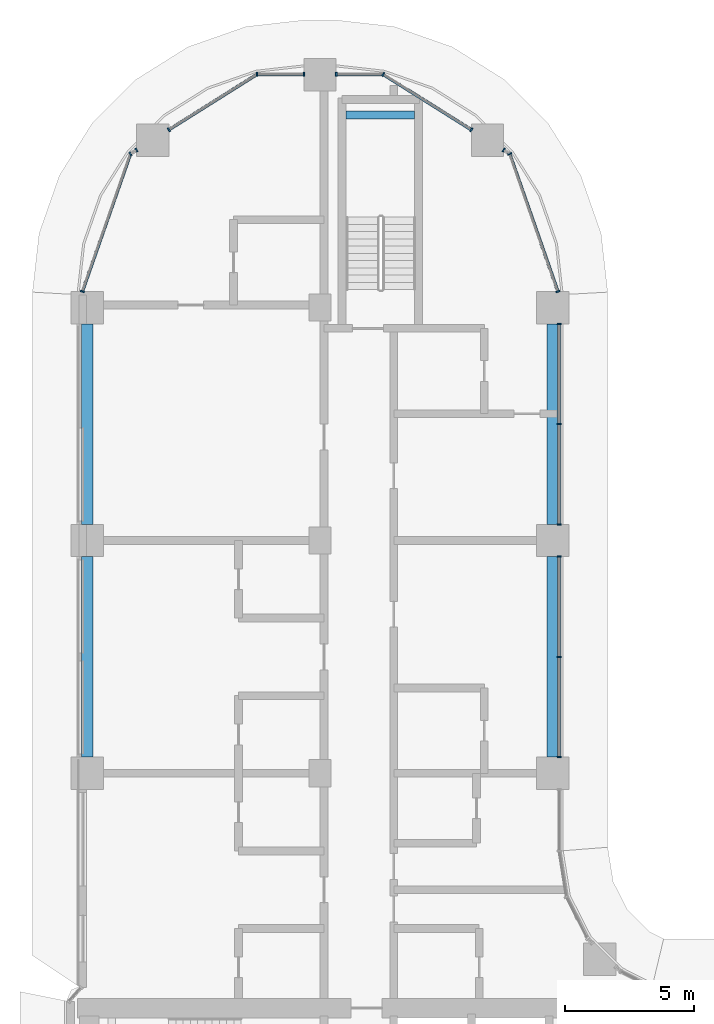
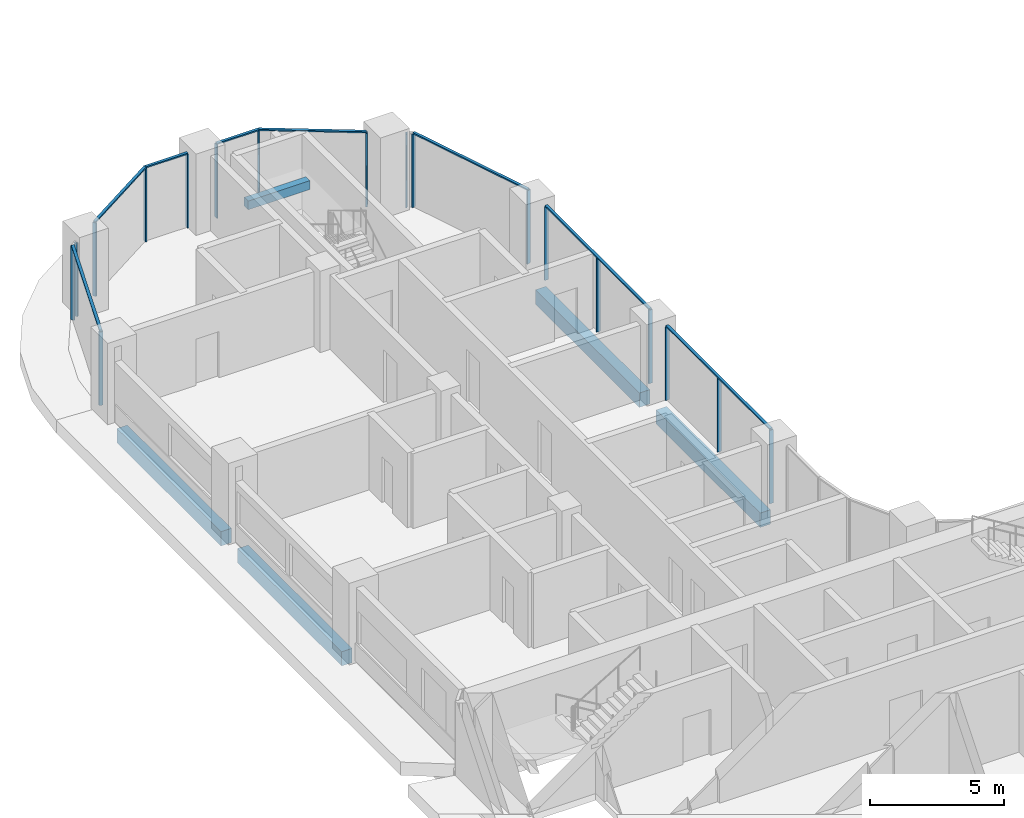
# One storey, part 5 of 33: 26 members, 5 beams, 6 elements without a shape of their own.
"""IFC4 building model written with IfcOpenShell, lengths in metres."""

from ifc_helpers import new_model, si_unit, direction, frame, origin, origin_2d, place, context, subcontext, project, spatial, rectangle, extrude, material, material_profile, profile_set, type_object, element, aggregate, save


model = new_model("IFC4")

# Units and contexts
model_context = context("Model", 3, precision=1e-05, world=origin(), true_north=direction((0.0, 1.0)))
body_context = subcontext(model_context, "Body", "Model", "MODEL_VIEW")
ifc_project = project(units=[si_unit("LENGTHUNIT", "METRE"), si_unit("AREAUNIT", "SQUARE_METRE"), si_unit("VOLUMEUNIT", "CUBIC_METRE"), si_unit("PLANEANGLEUNIT", "RADIAN"), si_unit("MASSUNIT", "GRAM", prefix="KILO")], contexts=[model_context])

# Site, building, storey
site_placement = place(None, origin())
site = spatial("IfcSite", under=ifc_project, at=site_placement, CompositionType="ELEMENT")
building_placement = place(site_placement, origin())
building = spatial("IfcBuilding", under=site, at=building_placement, Name="Ogive Portal Towers", CompositionType="ELEMENT")
storey_placement = place(building_placement, frame((0.0, 0.0, 98.199951171875)))
storey = spatial("IfcBuildingStorey", under=building, at=storey_placement, Name="L23", CompositionType="ELEMENT", Elevation=98.199951171875)

# Beam
ifc_material_1 = material(Name="Concrete C40/50", Category="concrete")
ifc_material_profile_1 = material_profile(ifc_material_1, rectangle(XDim=0.300048828125, YDim=0.39990234375, at=origin_2d()), Name="RC 300x400")
ifc_profile_set_1 = profile_set([ifc_material_profile_1], Name="Concrete C40/50")
beam_type_1 = type_object("IfcBeamType", Name="BEAM RC 300x400", PredefinedType="BEAM", material=ifc_profile_set_1)
beam_placement = place(storey_placement, frame((41.5, 73.949951171875, 1.449951171875), z_axis=(1.0, 0.0, 0.0), x_axis=(0.0, 1.0, 0.0)))
element("IfcBeam", 1, at=beam_placement, inside=storey, type_object=beam_type_1, Name="Landing beam L23", PredefinedType="BEAM", context=body_context, shape_type="SweptSolid", body=[
    extrude(rectangle(XDim=0.300048828125, YDim=0.39990234375, at=origin_2d()), origin(), (0.0, 0.0, 1.0), 2.64990234375),
])

# Curtain wall, members
ifc_material_2 = material(Name="Glass, clear low-iron insulated glazing", Category="glass")
curtain_wall_type = type_object("IfcCurtainWallType", Name="CW FRONT RIBBON 4500", PredefinedType="NOTDEFINED", material=ifc_material_2)
curtain_wall_1_placement = place(storey_placement, origin())
curtain_wall_1 = element("IfcCurtainWall", 2, at=curtain_wall_1_placement, inside=storey, type_object=curtain_wall_type, Name="A:L23:f06:cw0~1", PredefinedType="NOTDEFINED")
ifc_material_3 = material(Name="Aluminium 6063 anodised", Category="aluminium")
ifc_material_profile_2 = material_profile(ifc_material_3, rectangle(XDim=0.159912109375, YDim=0.06005859375, at=origin_2d()), Name="AL 60x160")
ifc_profile_set_2 = profile_set([ifc_material_profile_2], Name="Aluminium 6063 anodised")
member_type_1 = type_object("IfcMemberType", Name="CW MULLION 60x160", PredefinedType="MULLION", material=ifc_profile_set_2)
member_1_placement = place(storey_placement, frame((49.739990234375, 49.125, 0.0), z_axis=(0.0, 0.0, 1.0), x_axis=(-1.0, 0.0, 0.0)))
member_1 = element("IfcMember", 3, at=member_1_placement, type_object=member_type_1, Name="mullion", PredefinedType="MULLION", context=body_context, shape_type="SweptSolid", body=[
    extrude(rectangle(XDim=0.159912109375, YDim=0.06005859375, at=origin_2d()), origin(), (0.0, 0.0, 1.0), 3.340087890625),
])
member_2_placement = place(storey_placement, frame((49.739990234375, 53.0, 0.0), z_axis=(0.0, 0.0, 1.0), x_axis=(-1.0, 0.0, 0.0)))
member_2 = element("IfcMember", 4, at=member_2_placement, type_object=member_type_1, Name="mullion", PredefinedType="MULLION", context=body_context, shape_type="SweptSolid", body=[
    extrude(rectangle(XDim=0.159912109375, YDim=0.06005859375, at=origin_2d()), origin(), (0.0, 0.0, 1.0), 3.340087890625),
])
member_3_placement = place(storey_placement, frame((49.739990234375, 56.875, 0.0), z_axis=(0.0, 0.0, 1.0), x_axis=(-1.0, 0.0, 0.0)))
member_3 = element("IfcMember", 5, at=member_3_placement, type_object=member_type_1, Name="mullion", PredefinedType="MULLION", context=body_context, shape_type="SweptSolid", body=[
    extrude(rectangle(XDim=0.159912109375, YDim=0.06005859375, at=origin_2d()), origin(), (0.0, 0.0, 1.0), 3.340087890625),
])

curtain_wall_2_placement = place(storey_placement, origin())
curtain_wall_2 = element("IfcCurtainWall", 6, at=curtain_wall_2_placement, inside=storey, type_object=curtain_wall_type, Name="A:L23:f06:cw0~2", PredefinedType="NOTDEFINED")
member_4_placement = place(storey_placement, frame((49.739990234375, 58.125, 0.0), z_axis=(0.0, 0.0, 1.0), x_axis=(-1.0, 0.0, 0.0)))
member_4 = element("IfcMember", 7, at=member_4_placement, type_object=member_type_1, Name="mullion", PredefinedType="MULLION", context=body_context, shape_type="SweptSolid", body=[
    extrude(rectangle(XDim=0.159912109375, YDim=0.06005859375, at=origin_2d()), origin(), (0.0, 0.0, 1.0), 3.340087890625),
])
member_5_placement = place(storey_placement, frame((49.739990234375, 62.0, 0.0), z_axis=(0.0, 0.0, 1.0), x_axis=(-1.0, 0.0, 0.0)))
member_5 = element("IfcMember", 8, at=member_5_placement, type_object=member_type_1, Name="mullion", PredefinedType="MULLION", context=body_context, shape_type="SweptSolid", body=[
    extrude(rectangle(XDim=0.159912109375, YDim=0.06005859375, at=origin_2d()), origin(), (0.0, 0.0, 1.0), 3.340087890625),
])
member_6_placement = place(storey_placement, frame((49.739990234375, 65.875, 0.0), z_axis=(0.0, 0.0, 1.0), x_axis=(-1.0, 0.0, 0.0)))
member_6 = element("IfcMember", 9, at=member_6_placement, type_object=member_type_1, Name="mullion", PredefinedType="MULLION", context=body_context, shape_type="SweptSolid", body=[
    extrude(rectangle(XDim=0.159912109375, YDim=0.06005859375, at=origin_2d()), origin(), (0.0, 0.0, 1.0), 3.340087890625),
])

curtain_wall_3_placement = place(storey_placement, origin())
curtain_wall_3 = element("IfcCurtainWall", 10, at=curtain_wall_3_placement, inside=storey, type_object=curtain_wall_type, Name="A:L23:f07:cwa~0", PredefinedType="NOTDEFINED")
member_7_placement = place(storey_placement, frame((49.69140625, 67.125, 0.0), z_axis=(0.0, 0.0, 1.0), x_axis=(-0.943883330307, -0.33027906196, 0.0)))
member_7 = element("IfcMember", 11, at=member_7_placement, type_object=member_type_1, Name="mullion", PredefinedType="MULLION", context=body_context, shape_type="SweptSolid", body=[
    extrude(rectangle(XDim=0.159912109375, YDim=0.06005859375, at=origin_2d()), origin(), (0.0, 0.0, 1.0), 3.340087890625),
])
member_8_placement = place(storey_placement, frame((47.82958984375, 72.4462890625, 0.0), z_axis=(0.0, 0.0, 1.0), x_axis=(-0.943883330307, -0.33027906196, 0.0)))
member_8 = element("IfcMember", 12, at=member_8_placement, type_object=member_type_1, Name="mullion", PredefinedType="MULLION", context=body_context, shape_type="SweptSolid", body=[
    extrude(rectangle(XDim=0.159912109375, YDim=0.06005859375, at=origin_2d()), origin(), (0.0, 0.0, 1.0), 3.340087890625),
])
member_9_placement = place(storey_placement, frame((47.597900390625, 72.591796875, 0.0), z_axis=(0.0, 0.0, 1.0), x_axis=(-0.532032076517, -0.846724199227, 0.0)))
member_9 = element("IfcMember", 13, at=member_9_placement, type_object=member_type_1, Name="mullion", PredefinedType="MULLION", context=body_context, shape_type="SweptSolid", body=[
    extrude(rectangle(XDim=0.159912109375, YDim=0.06005859375, at=origin_2d()), origin(), (0.0, 0.0, 1.0), 3.340087890625),
])

curtain_wall_4_placement = place(storey_placement, origin())
curtain_wall_4 = element("IfcCurtainWall", 14, at=curtain_wall_4_placement, inside=storey, type_object=curtain_wall_type, Name="A:L23:f07:cwa~1", PredefinedType="NOTDEFINED")
member_10_placement = place(storey_placement, frame((46.347900390625, 73.377197265625, 0.0), z_axis=(0.0, 0.0, 1.0), x_axis=(-0.532032076517, -0.846724199227, 0.0)))
member_10 = element("IfcMember", 15, at=member_10_placement, type_object=member_type_1, Name="mullion", PredefinedType="MULLION", context=body_context, shape_type="SweptSolid", body=[
    extrude(rectangle(XDim=0.159912109375, YDim=0.06005859375, at=origin_2d()), origin(), (0.0, 0.0, 1.0), 3.340087890625),
])
member_11_placement = place(storey_placement, frame((42.939697265625, 75.518798828125, 0.0), z_axis=(0.0, 0.0, 1.0), x_axis=(-0.532032076517, -0.846724199227, 0.0)))
member_11 = element("IfcMember", 16, at=member_11_placement, type_object=member_type_1, Name="mullion", PredefinedType="MULLION", context=body_context, shape_type="SweptSolid", body=[
    extrude(rectangle(XDim=0.159912109375, YDim=0.06005859375, at=origin_2d()), origin(), (0.0, 0.0, 1.0), 3.340087890625),
])
member_12_placement = place(storey_placement, frame((41.125, 75.518798828125, 0.0), z_axis=(0.0, 0.0, 1.0), x_axis=(0.0, -1.0, 0.0)))
member_12 = element("IfcMember", 17, at=member_12_placement, type_object=member_type_1, Name="mullion", PredefinedType="MULLION", context=body_context, shape_type="SweptSolid", body=[
    extrude(rectangle(XDim=0.159912109375, YDim=0.06005859375, at=origin_2d()), origin(), (0.0, 0.0, 1.0), 3.340087890625),
])

curtain_wall_5_placement = place(storey_placement, origin())
curtain_wall_5 = element("IfcCurtainWall", 18, at=curtain_wall_5_placement, inside=storey, type_object=curtain_wall_type, Name="A:L23:f07:cwa~2", PredefinedType="NOTDEFINED")
member_13_placement = place(storey_placement, frame((39.875, 75.518798828125, 0.0), z_axis=(0.0, 0.0, 1.0), x_axis=(0.0, -1.0, 0.0)))
member_13 = element("IfcMember", 19, at=member_13_placement, type_object=member_type_1, Name="mullion", PredefinedType="MULLION", context=body_context, shape_type="SweptSolid", body=[
    extrude(rectangle(XDim=0.159912109375, YDim=0.06005859375, at=origin_2d()), origin(), (0.0, 0.0, 1.0), 3.340087890625),
])
member_14_placement = place(storey_placement, frame((38.060302734375, 75.518798828125, 0.0), z_axis=(0.0, 0.0, 1.0), x_axis=(0.0, -1.0, 0.0)))
member_14 = element("IfcMember", 20, at=member_14_placement, type_object=member_type_1, Name="mullion", PredefinedType="MULLION", context=body_context, shape_type="SweptSolid", body=[
    extrude(rectangle(XDim=0.159912109375, YDim=0.06005859375, at=origin_2d()), origin(), (0.0, 0.0, 1.0), 3.340087890625),
])
member_15_placement = place(storey_placement, frame((34.652099609375, 73.377197265625, 0.0), z_axis=(0.0, 0.0, 1.0), x_axis=(0.532032076517, -0.846724199227, 0.0)))
member_15 = element("IfcMember", 21, at=member_15_placement, type_object=member_type_1, Name="mullion", PredefinedType="MULLION", context=body_context, shape_type="SweptSolid", body=[
    extrude(rectangle(XDim=0.159912109375, YDim=0.06005859375, at=origin_2d()), origin(), (0.0, 0.0, 1.0), 3.340087890625),
])

curtain_wall_6_placement = place(storey_placement, origin())
curtain_wall_6 = element("IfcCurtainWall", 22, at=curtain_wall_6_placement, inside=storey, type_object=curtain_wall_type, Name="A:L23:f07:cwa~3", PredefinedType="NOTDEFINED")
member_16_placement = place(storey_placement, frame((33.402099609375, 72.591796875, 0.0), z_axis=(0.0, 0.0, 1.0), x_axis=(0.532032076517, -0.846724199227, 0.0)))
member_16 = element("IfcMember", 23, at=member_16_placement, type_object=member_type_1, Name="mullion", PredefinedType="MULLION", context=body_context, shape_type="SweptSolid", body=[
    extrude(rectangle(XDim=0.159912109375, YDim=0.06005859375, at=origin_2d()), origin(), (0.0, 0.0, 1.0), 3.340087890625),
])
member_17_placement = place(storey_placement, frame((33.17041015625, 72.4462890625, 0.0), z_axis=(0.0, 0.0, 1.0), x_axis=(0.532032076517, -0.846724199227, 0.0)))
member_17 = element("IfcMember", 24, at=member_17_placement, type_object=member_type_1, Name="mullion", PredefinedType="MULLION", context=body_context, shape_type="SweptSolid", body=[
    extrude(rectangle(XDim=0.159912109375, YDim=0.06005859375, at=origin_2d()), origin(), (0.0, 0.0, 1.0), 3.340087890625),
])
member_18_placement = place(storey_placement, frame((31.30859375, 67.125, 0.0), z_axis=(0.0, 0.0, 1.0), x_axis=(0.943883330307, -0.33027906196, 0.0)))
member_18 = element("IfcMember", 25, at=member_18_placement, type_object=member_type_1, Name="mullion", PredefinedType="MULLION", context=body_context, shape_type="SweptSolid", body=[
    extrude(rectangle(XDim=0.159912109375, YDim=0.06005859375, at=origin_2d()), origin(), (0.0, 0.0, 1.0), 3.340087890625),
])

# Member
ifc_material_profile_3 = material_profile(ifc_material_3, rectangle(XDim=0.1201171875, YDim=0.06005859375, at=origin_2d()), Name="AL 120x60")
ifc_profile_set_3 = profile_set([ifc_material_profile_3], Name="Aluminium 6063 anodised")
member_type_2 = type_object("IfcMemberType", Name="CW TRANSOM 60x120", PredefinedType="USERDEFINED", material=ifc_profile_set_3)
member_19_placement = place(storey_placement, frame((49.739990234375, 49.125, 3.3701171875), z_axis=(0.0, 1.0, 0.0), x_axis=(-1.0, 0.0, 0.0)))
member_19 = element("IfcMember", 26, at=member_19_placement, type_object=member_type_2, Name="transom", ObjectType="TRANSOM", PredefinedType="USERDEFINED", context=body_context, shape_type="SweptSolid", body=[
    extrude(rectangle(XDim=0.1201171875, YDim=0.06005859375, at=origin_2d()), origin(), (0.0, 0.0, 1.0), 7.75),
])

aggregate(curtain_wall_1, [member_19, member_1, member_2, member_3])

member_20_placement = place(storey_placement, frame((49.739990234375, 58.125, 3.3701171875), z_axis=(0.0, 1.0, 0.0), x_axis=(-1.0, 0.0, 0.0)))
member_20 = element("IfcMember", 27, at=member_20_placement, type_object=member_type_2, Name="transom", ObjectType="TRANSOM", PredefinedType="USERDEFINED", context=body_context, shape_type="SweptSolid", body=[
    extrude(rectangle(XDim=0.1201171875, YDim=0.06005859375, at=origin_2d()), origin(), (0.0, 0.0, 1.0), 7.75),
])

aggregate(curtain_wall_2, [member_20, member_4, member_5, member_6])

member_21_placement = place(storey_placement, frame((49.69140625, 67.125, 3.3701171875), z_axis=(-0.330250115416, 0.943893458642, 0.0), x_axis=(-0.943893458642, -0.330250115416, 0.0)))
member_21 = element("IfcMember", 28, at=member_21_placement, type_object=member_type_2, Name="transom", ObjectType="TRANSOM", PredefinedType="USERDEFINED", context=body_context, shape_type="SweptSolid", body=[
    extrude(rectangle(XDim=0.1201171875, YDim=0.06005859375, at=origin_2d()), origin(), (0.0, 0.0, 1.0), 5.6376953125),
])

aggregate(curtain_wall_3, [member_21, member_7, member_8, member_9])

member_22_placement = place(storey_placement, frame((46.347900390625, 73.377197265625, 3.3701171875), z_axis=(-0.846714618742, 0.532047323467, 0.0), x_axis=(-0.532047323467, -0.846714618742, 0.0)))
member_22 = element("IfcMember", 29, at=member_22_placement, type_object=member_type_2, Name="transom", ObjectType="TRANSOM", PredefinedType="USERDEFINED", context=body_context, shape_type="SweptSolid", body=[
    extrude(rectangle(XDim=0.1201171875, YDim=0.06005859375, at=origin_2d()), origin(), (0.0, 0.0, 1.0), 4.025146484375),
])

member_23_placement = place(storey_placement, frame((42.939697265625, 75.518798828125, 3.3701171875), z_axis=(-1.0, 0.0, 0.0), x_axis=(0.0, -1.0, 0.0)))
member_23 = element("IfcMember", 30, at=member_23_placement, type_object=member_type_2, Name="transom", ObjectType="TRANSOM", PredefinedType="USERDEFINED", context=body_context, shape_type="SweptSolid", body=[
    extrude(rectangle(XDim=0.1201171875, YDim=0.06005859375, at=origin_2d()), origin(), (0.0, 0.0, 1.0), 1.814697265625),
])

aggregate(curtain_wall_4, [member_22, member_23, member_10, member_11, member_12])

member_24_placement = place(storey_placement, frame((39.875, 75.518798828125, 3.3701171875), z_axis=(-1.0, 0.0, 0.0), x_axis=(0.0, -1.0, 0.0)))
member_24 = element("IfcMember", 31, at=member_24_placement, type_object=member_type_2, Name="transom", ObjectType="TRANSOM", PredefinedType="USERDEFINED", context=body_context, shape_type="SweptSolid", body=[
    extrude(rectangle(XDim=0.1201171875, YDim=0.06005859375, at=origin_2d()), origin(), (0.0, 0.0, 1.0), 1.814697265625),
])

member_25_placement = place(storey_placement, frame((38.060302734375, 75.518798828125, 3.3701171875), z_axis=(-0.846714618742, -0.532047323467, 0.0), x_axis=(0.532047323467, -0.846714618742, 0.0)))
member_25 = element("IfcMember", 32, at=member_25_placement, type_object=member_type_2, Name="transom", ObjectType="TRANSOM", PredefinedType="USERDEFINED", context=body_context, shape_type="SweptSolid", body=[
    extrude(rectangle(XDim=0.1201171875, YDim=0.06005859375, at=origin_2d()), origin(), (0.0, 0.0, 1.0), 4.025146484375),
])

aggregate(curtain_wall_5, [member_24, member_25, member_13, member_14, member_15])

member_26_placement = place(storey_placement, frame((33.17041015625, 72.4462890625, 3.3701171875), z_axis=(-0.330250115416, -0.943893458642, 0.0), x_axis=(0.943893458642, -0.330250115416, 0.0)))
member_26 = element("IfcMember", 33, at=member_26_placement, type_object=member_type_2, Name="transom", ObjectType="TRANSOM", PredefinedType="USERDEFINED", context=body_context, shape_type="SweptSolid", body=[
    extrude(rectangle(XDim=0.1201171875, YDim=0.06005859375, at=origin_2d()), origin(), (0.0, 0.0, 1.0), 5.6376953125),
])

aggregate(curtain_wall_6, [member_26, member_16, member_17, member_18])

# Beams
ifc_material_4 = material(Name="Concrete C50/60", Category="concrete")
ifc_material_profile_4 = material_profile(ifc_material_4, rectangle(XDim=0.449951171875, YDim=0.64990234375, at=origin_2d()), Name="RC 450x650")
ifc_profile_set_4 = profile_set([ifc_material_profile_4], Name="Concrete C50/60")
beam_type_2 = type_object("IfcBeamType", Name="SPANDREL BEAM RC 450x650", PredefinedType="BEAM", material=ifc_profile_set_4)
for number, where, z_axis, x_axis, name in (
    (34, (31.5, 49.125, -0.625), (0.0, 1.0, 0.0), (-1.0, 0.0, 0.0), "Spandrel beam L23"),
    (35, (31.5, 58.125, -0.625), (0.0, 1.0, 0.0), (-1.0, 0.0, 0.0), "Spandrel beam L23"),
    (36, (49.5, 65.875, -0.625), (0.0, -1.0, 0.0), (1.0, 0.0, 0.0), "Spandrel beam L23"),
    (37, (49.5, 56.875, -0.625), (0.0, -1.0, 0.0), (1.0, 0.0, 0.0), "Spandrel beam L23"),
):
    element("IfcBeam", number, at=place(storey_placement, frame(where, z_axis=z_axis, x_axis=x_axis)), inside=storey, type_object=beam_type_2, Name=name, PredefinedType="BEAM", context=body_context, shape_type="SweptSolid", body=[
        extrude(rectangle(XDim=0.449951171875, YDim=0.64990234375, at=origin_2d()), origin(), (0.0, 0.0, 1.0), 7.75),
    ])

save(model, "model.ifc")
